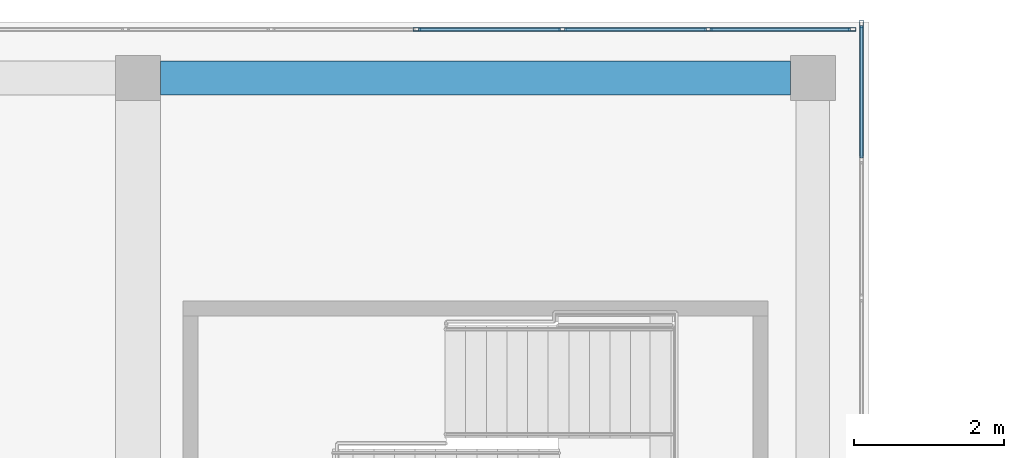
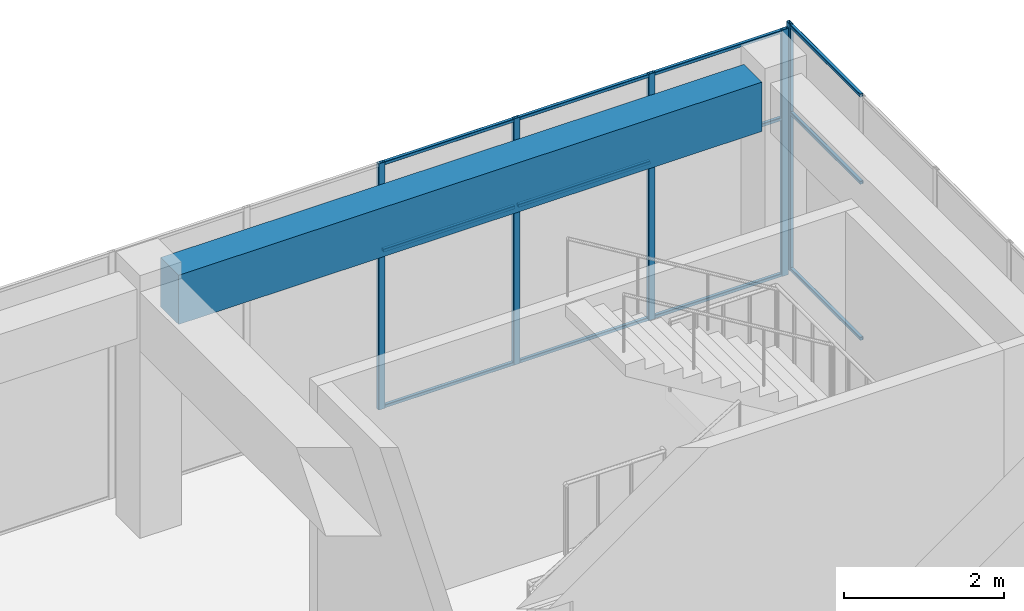
# One storey, part 25 of 32: 17 members, 1 beam, 2 elements without a shape of their own.
"""IFC4 building model written with IfcOpenShell, lengths in metres."""

from ifc_helpers import new_model, si_unit, direction, frame, origin, origin_2d, place, context, subcontext, project, spatial, rectangle, hollow_rectangle, extrude, material, layer, layer_set, material_profile, profile_set, type_object, element, aggregate, save


model = new_model("IFC4")

# Units and contexts
model_context = context("Model", 3, precision=1e-05, world=origin(), true_north=direction((0.0, 1.0)))
body_context = subcontext(model_context, "Body", "Model", "MODEL_VIEW")
ifc_project = project(units=[si_unit("LENGTHUNIT", "METRE"), si_unit("AREAUNIT", "SQUARE_METRE"), si_unit("VOLUMEUNIT", "CUBIC_METRE"), si_unit("PLANEANGLEUNIT", "RADIAN"), si_unit("MASSUNIT", "GRAM", prefix="KILO")], contexts=[model_context])

# Site, building, storey
site_placement = place(None, origin())
site = spatial("IfcSite", under=ifc_project, at=site_placement, CompositionType="ELEMENT")
building_placement = place(site_placement, origin())
building = spatial("IfcBuilding", under=site, at=building_placement, Name="Tuart Plaza Theatre", CompositionType="ELEMENT")
storey_placement = place(building_placement, frame((0.0, 0.0, 41.5)))
storey = spatial("IfcBuildingStorey", under=building, at=storey_placement, Name="L10", CompositionType="ELEMENT", Elevation=41.5)

# Beam
ifc_material_1 = material(Name="Concrete N40 (40 MPa)", Category="concrete")
ifc_material_profile_1 = material_profile(ifc_material_1, rectangle(XDim=0.449951171875, YDim=0.75, at=origin_2d()), Name="BEAM 450x750 Concrete N40 (40 MPa)")
ifc_profile_set_1 = profile_set([ifc_material_profile_1], Name="Concrete N40 (40 MPa)")
beam_type = type_object("IfcBeamType", Name="BEAM 450x750 Concrete N40 (40 MPa)", PredefinedType="BEAM", material=ifc_profile_set_1)
beam_placement = place(storey_placement, frame((132.300048828125, 92.0, 3.375), z_axis=(1.0, 0.0, 0.0), x_axis=(0.0, 1.0, 0.0)))
element("IfcBeam", 1, at=beam_placement, inside=storey, type_object=beam_type, Name="RB303", PredefinedType="BEAM", context=body_context, shape_type="SweptSolid", body=[
    extrude(rectangle(XDim=0.449951171875, YDim=0.75, at=origin_2d()), origin(), (0.0, 0.0, 1.0), 8.39990234375),
])

# Curtain wall, member
ifc_material_2 = material(Name="Aluminium and glass", Category="aluminium")
ifc_layer = layer(ifc_material_2, 0.10009765625)
ifc_layer_set = layer_set([ifc_layer], Name="CURTAIN WALL 2000 module")
curtain_wall_type = type_object("IfcCurtainWallType", Name="CURTAIN WALL 2000 module", PredefinedType="NOTDEFINED", material=ifc_layer_set)
curtain_wall_1_placement = place(storey_placement, origin())
curtain_wall_1 = element("IfcCurtainWall", 2, at=curtain_wall_1_placement, inside=storey, type_object=curtain_wall_type, Name="CW104", PredefinedType="NOTDEFINED")
ifc_material_3 = material(Name="Aluminium 6063-T5", Category="aluminium")
ifc_material_profile_2 = material_profile(ifc_material_3, hollow_rectangle(XDim=0.050048828125, YDim=0.10009765625, WallThickness=0.00390625, InnerFilletRadius=0.00390625, OuterFilletRadius=0.008056640625, at=origin_2d()), Name="RHS 100x50x4")
ifc_profile_set_2 = profile_set([ifc_material_profile_2], Name="Aluminium 6063-T5")
member_type_1 = type_object("IfcMemberType", Name="MULLION RHS 100x50x4", PredefinedType="MULLION", material=ifc_profile_set_2)
member_1_placement = place(storey_placement, frame((141.64990234375, 92.72509765625, 0.0), z_axis=(0.0, 0.0, 1.0), x_axis=(-1.0, 0.0, 0.0)))
member_1 = element("IfcMember", 3, at=member_1_placement, type_object=member_type_1, Name="CW104 mullion 6", PredefinedType="MULLION", context=body_context, shape_type="SweptSolid", body=[
    extrude(hollow_rectangle(XDim=0.050048828125, YDim=0.10009765625, WallThickness=0.00390625, InnerFilletRadius=0.00390625, OuterFilletRadius=0.008056640625, at=origin_2d()), origin(), (0.0, 0.0, 1.0), 3.75),
])

# Curtain wall, members
curtain_wall_2_placement = place(storey_placement, origin())
curtain_wall_2 = element("IfcCurtainWall", 4, at=curtain_wall_2_placement, inside=storey, type_object=curtain_wall_type, Name="CW105", PredefinedType="NOTDEFINED")
member_2_placement = place(storey_placement, frame((141.52490234375, 92.64990234375, 0.0), z_axis=(0.0, 0.0, 1.0), x_axis=(0.0, -1.0, 0.0)))
member_2 = element("IfcMember", 5, at=member_2_placement, type_object=member_type_1, Name="CW105 mullion 1", PredefinedType="MULLION", context=body_context, shape_type="SweptSolid", body=[
    extrude(hollow_rectangle(XDim=0.050048828125, YDim=0.10009765625, WallThickness=0.00390625, InnerFilletRadius=0.00390625, OuterFilletRadius=0.008056640625, at=origin_2d()), origin(), (0.0, 0.0, 1.0), 3.75),
])
member_3_placement = place(storey_placement, frame((139.606201171875, 92.64990234375, 0.0), z_axis=(0.0, 0.0, 1.0), x_axis=(0.0, -1.0, 0.0)))
member_3 = element("IfcMember", 6, at=member_3_placement, type_object=member_type_1, Name="CW105 mullion 2", PredefinedType="MULLION", context=body_context, shape_type="SweptSolid", body=[
    extrude(hollow_rectangle(XDim=0.050048828125, YDim=0.10009765625, WallThickness=0.00390625, InnerFilletRadius=0.00390625, OuterFilletRadius=0.008056640625, at=origin_2d()), origin(), (0.0, 0.0, 1.0), 3.75),
])
member_4_placement = place(storey_placement, frame((137.66259765625, 92.64990234375, 0.0), z_axis=(0.0, 0.0, 1.0), x_axis=(0.0, -1.0, 0.0)))
member_4 = element("IfcMember", 7, at=member_4_placement, type_object=member_type_1, Name="CW105 mullion 3", PredefinedType="MULLION", context=body_context, shape_type="SweptSolid", body=[
    extrude(hollow_rectangle(XDim=0.050048828125, YDim=0.10009765625, WallThickness=0.00390625, InnerFilletRadius=0.00390625, OuterFilletRadius=0.008056640625, at=origin_2d()), origin(), (0.0, 0.0, 1.0), 3.75),
])
member_5_placement = place(storey_placement, frame((135.71875, 92.64990234375, 0.0), z_axis=(0.0, 0.0, 1.0), x_axis=(0.0, -1.0, 0.0)))
member_5 = element("IfcMember", 8, at=member_5_placement, type_object=member_type_1, Name="CW105 mullion 4", PredefinedType="MULLION", context=body_context, shape_type="SweptSolid", body=[
    extrude(hollow_rectangle(XDim=0.050048828125, YDim=0.10009765625, WallThickness=0.00390625, InnerFilletRadius=0.00390625, OuterFilletRadius=0.008056640625, at=origin_2d()), origin(), (0.0, 0.0, 1.0), 3.75),
])

# Member
ifc_material_4 = material(Name="Aluminium 6063-T5", Category="aluminium")
ifc_material_profile_3 = material_profile(ifc_material_4, hollow_rectangle(XDim=0.050048828125, YDim=0.050048828125, WallThickness=0.00390625, InnerFilletRadius=0.00390625, OuterFilletRadius=0.008056640625, at=origin_2d()), Name="RHS 50x50x4")
ifc_profile_set_3 = profile_set([ifc_material_profile_3], Name="Aluminium 6063-T5")
member_type_2 = type_object("IfcMemberType", Name="TRANSOM RHS 50x50x4", PredefinedType="USERDEFINED", material=ifc_profile_set_3)
member_6_placement = place(storey_placement, frame((141.64990234375, 90.93505859375, 0.02490234375), z_axis=(0.0, 1.0, 0.0), x_axis=(-1.0, 0.0, 0.0)))
member_6 = element("IfcMember", 9, at=member_6_placement, type_object=member_type_2, Name="CW104 transom 5.1", ObjectType="TRANSOM", PredefinedType="USERDEFINED", context=body_context, shape_type="SweptSolid", body=[
    extrude(hollow_rectangle(XDim=0.050048828125, YDim=0.050048828125, WallThickness=0.00390625, InnerFilletRadius=0.00390625, OuterFilletRadius=0.008056640625, at=origin_2d()), origin(), (0.0, 0.0, 1.0), 1.764892578125),
])

member_7_placement = place(storey_placement, frame((141.64990234375, 90.93505859375, 2.39990234375), z_axis=(0.0, 1.0, 0.0), x_axis=(-1.0, 0.0, 0.0)))
member_7 = element("IfcMember", 10, at=member_7_placement, type_object=member_type_2, Name="CW104 transom 5.2", ObjectType="TRANSOM", PredefinedType="USERDEFINED", context=body_context, shape_type="SweptSolid", body=[
    extrude(hollow_rectangle(XDim=0.050048828125, YDim=0.050048828125, WallThickness=0.00390625, InnerFilletRadius=0.00390625, OuterFilletRadius=0.008056640625, at=origin_2d()), origin(), (0.0, 0.0, 1.0), 1.764892578125),
])

member_8_placement = place(storey_placement, frame((141.64990234375, 90.93505859375, 3.72509765625), z_axis=(0.0, 1.0, 0.0), x_axis=(-1.0, 0.0, 0.0)))
member_8 = element("IfcMember", 11, at=member_8_placement, type_object=member_type_2, Name="CW104 transom 5.3", ObjectType="TRANSOM", PredefinedType="USERDEFINED", context=body_context, shape_type="SweptSolid", body=[
    extrude(hollow_rectangle(XDim=0.050048828125, YDim=0.050048828125, WallThickness=0.00390625, InnerFilletRadius=0.00390625, OuterFilletRadius=0.008056640625, at=origin_2d()), origin(), (0.0, 0.0, 1.0), 1.764892578125),
])

aggregate(curtain_wall_1, [member_1, member_6, member_7, member_8])

member_9_placement = place(storey_placement, frame((141.5, 92.64990234375, 0.02490234375), z_axis=(-1.0, 0.0, 0.0), x_axis=(0.0, -1.0, 0.0)))
member_9 = element("IfcMember", 12, at=member_9_placement, type_object=member_type_2, Name="CW105 transom 1.1", ObjectType="TRANSOM", PredefinedType="USERDEFINED", context=body_context, shape_type="SweptSolid", body=[
    extrude(hollow_rectangle(XDim=0.050048828125, YDim=0.050048828125, WallThickness=0.00390625, InnerFilletRadius=0.00390625, OuterFilletRadius=0.008056640625, at=origin_2d()), origin(), (0.0, 0.0, 1.0), 1.86865234375),
])

member_10_placement = place(storey_placement, frame((141.5, 92.64990234375, 2.39990234375), z_axis=(-1.0, 0.0, 0.0), x_axis=(0.0, -1.0, 0.0)))
member_10 = element("IfcMember", 13, at=member_10_placement, type_object=member_type_2, Name="CW105 transom 1.2", ObjectType="TRANSOM", PredefinedType="USERDEFINED", context=body_context, shape_type="SweptSolid", body=[
    extrude(hollow_rectangle(XDim=0.050048828125, YDim=0.050048828125, WallThickness=0.00390625, InnerFilletRadius=0.00390625, OuterFilletRadius=0.008056640625, at=origin_2d()), origin(), (0.0, 0.0, 1.0), 1.86865234375),
])

member_11_placement = place(storey_placement, frame((141.5, 92.64990234375, 3.72509765625), z_axis=(-1.0, 0.0, 0.0), x_axis=(0.0, -1.0, 0.0)))
member_11 = element("IfcMember", 14, at=member_11_placement, type_object=member_type_2, Name="CW105 transom 1.3", ObjectType="TRANSOM", PredefinedType="USERDEFINED", context=body_context, shape_type="SweptSolid", body=[
    extrude(hollow_rectangle(XDim=0.050048828125, YDim=0.050048828125, WallThickness=0.00390625, InnerFilletRadius=0.00390625, OuterFilletRadius=0.008056640625, at=origin_2d()), origin(), (0.0, 0.0, 1.0), 1.86865234375),
])

member_12_placement = place(storey_placement, frame((139.581298828125, 92.64990234375, 0.02490234375), z_axis=(-1.0, 0.0, 0.0), x_axis=(0.0, -1.0, 0.0)))
member_12 = element("IfcMember", 15, at=member_12_placement, type_object=member_type_2, Name="CW105 transom 2.1", ObjectType="TRANSOM", PredefinedType="USERDEFINED", context=body_context, shape_type="SweptSolid", body=[
    extrude(hollow_rectangle(XDim=0.050048828125, YDim=0.050048828125, WallThickness=0.00390625, InnerFilletRadius=0.00390625, OuterFilletRadius=0.008056640625, at=origin_2d()), origin(), (0.0, 0.0, 1.0), 1.893798828125),
])

member_13_placement = place(storey_placement, frame((139.581298828125, 92.64990234375, 2.39990234375), z_axis=(-1.0, 0.0, 0.0), x_axis=(0.0, -1.0, 0.0)))
member_13 = element("IfcMember", 16, at=member_13_placement, type_object=member_type_2, Name="CW105 transom 2.2", ObjectType="TRANSOM", PredefinedType="USERDEFINED", context=body_context, shape_type="SweptSolid", body=[
    extrude(hollow_rectangle(XDim=0.050048828125, YDim=0.050048828125, WallThickness=0.00390625, InnerFilletRadius=0.00390625, OuterFilletRadius=0.008056640625, at=origin_2d()), origin(), (0.0, 0.0, 1.0), 1.893798828125),
])

member_14_placement = place(storey_placement, frame((139.581298828125, 92.64990234375, 3.72509765625), z_axis=(-1.0, 0.0, 0.0), x_axis=(0.0, -1.0, 0.0)))
member_14 = element("IfcMember", 17, at=member_14_placement, type_object=member_type_2, Name="CW105 transom 2.3", ObjectType="TRANSOM", PredefinedType="USERDEFINED", context=body_context, shape_type="SweptSolid", body=[
    extrude(hollow_rectangle(XDim=0.050048828125, YDim=0.050048828125, WallThickness=0.00390625, InnerFilletRadius=0.00390625, OuterFilletRadius=0.008056640625, at=origin_2d()), origin(), (0.0, 0.0, 1.0), 1.893798828125),
])

member_15_placement = place(storey_placement, frame((137.637451171875, 92.64990234375, 0.02490234375), z_axis=(-1.0, 0.0, 0.0), x_axis=(0.0, -1.0, 0.0)))
member_15 = element("IfcMember", 18, at=member_15_placement, type_object=member_type_2, Name="CW105 transom 3.1", ObjectType="TRANSOM", PredefinedType="USERDEFINED", context=body_context, shape_type="SweptSolid", body=[
    extrude(hollow_rectangle(XDim=0.050048828125, YDim=0.050048828125, WallThickness=0.00390625, InnerFilletRadius=0.00390625, OuterFilletRadius=0.008056640625, at=origin_2d()), origin(), (0.0, 0.0, 1.0), 1.893798828125),
])

member_16_placement = place(storey_placement, frame((137.637451171875, 92.64990234375, 2.39990234375), z_axis=(-1.0, 0.0, 0.0), x_axis=(0.0, -1.0, 0.0)))
member_16 = element("IfcMember", 19, at=member_16_placement, type_object=member_type_2, Name="CW105 transom 3.2", ObjectType="TRANSOM", PredefinedType="USERDEFINED", context=body_context, shape_type="SweptSolid", body=[
    extrude(hollow_rectangle(XDim=0.050048828125, YDim=0.050048828125, WallThickness=0.00390625, InnerFilletRadius=0.00390625, OuterFilletRadius=0.008056640625, at=origin_2d()), origin(), (0.0, 0.0, 1.0), 1.893798828125),
])

member_17_placement = place(storey_placement, frame((137.637451171875, 92.64990234375, 3.72509765625), z_axis=(-1.0, 0.0, 0.0), x_axis=(0.0, -1.0, 0.0)))
member_17 = element("IfcMember", 20, at=member_17_placement, type_object=member_type_2, Name="CW105 transom 3.3", ObjectType="TRANSOM", PredefinedType="USERDEFINED", context=body_context, shape_type="SweptSolid", body=[
    extrude(hollow_rectangle(XDim=0.050048828125, YDim=0.050048828125, WallThickness=0.00390625, InnerFilletRadius=0.00390625, OuterFilletRadius=0.008056640625, at=origin_2d()), origin(), (0.0, 0.0, 1.0), 1.893798828125),
])

aggregate(curtain_wall_2, [member_2, member_3, member_4, member_5, member_9, member_10, member_11, member_12, member_13, member_14, member_15, member_16, member_17])

save(model, "model.ifc")
